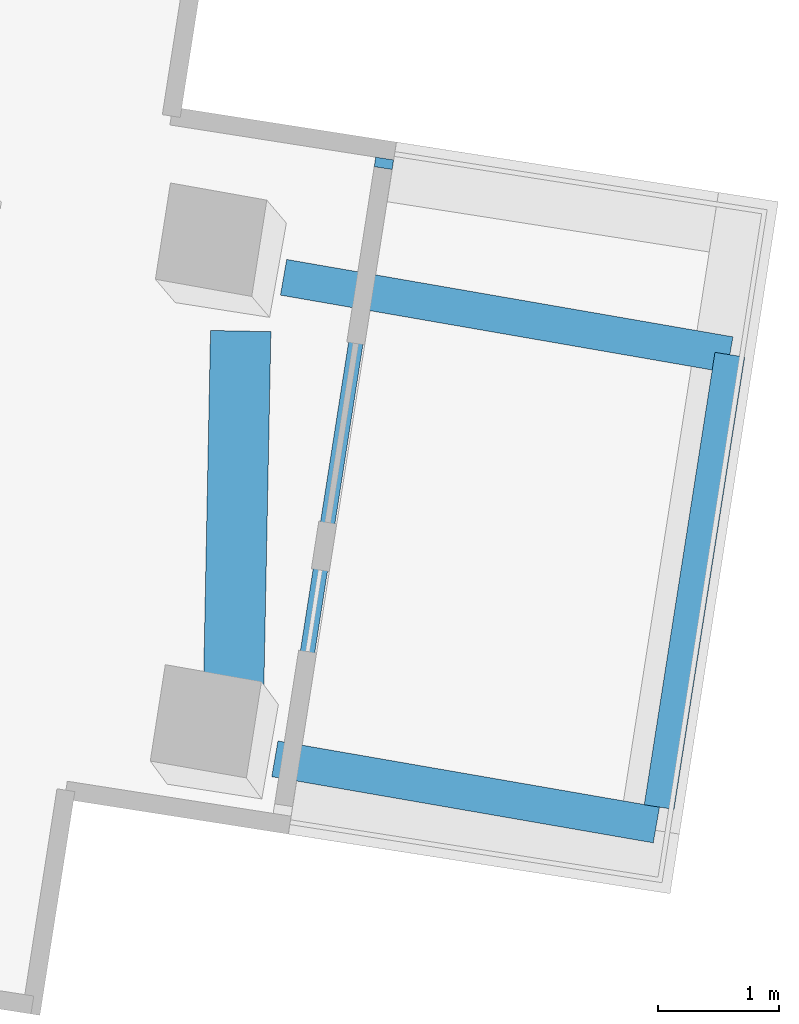
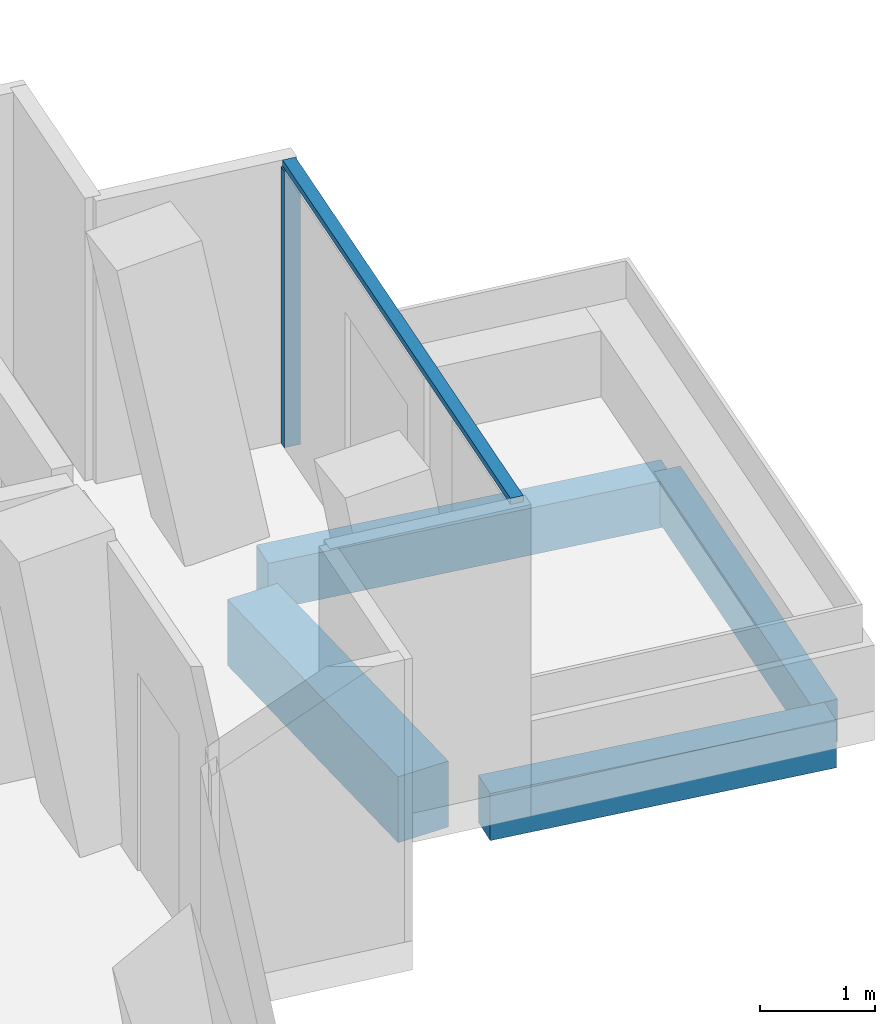
# One storey, part 6 of 23: 4 beams, 2 members, 1 element without a shape of its own.
"""IFC4 building model written with IfcOpenShell, lengths in metres."""

from ifc_helpers import new_model, si_unit, direction, frame, origin, origin_2d, place, context, subcontext, project, spatial, rectangle, extrude, material, layer, layer_set, material_profile, profile_set, type_object, element, aggregate, save


model = new_model("IFC4")

# Units and contexts
model_context = context("Model", 3, precision=1e-05, world=origin(), true_north=direction((0.0, 1.0)))
body_context = subcontext(model_context, "Body", "Model", "MODEL_VIEW")
ifc_project = project(units=[si_unit("LENGTHUNIT", "METRE"), si_unit("AREAUNIT", "SQUARE_METRE"), si_unit("VOLUMEUNIT", "CUBIC_METRE"), si_unit("PLANEANGLEUNIT", "RADIAN"), si_unit("MASSUNIT", "GRAM", prefix="KILO")], contexts=[model_context])

# Site, building, storey
site_placement = place(None, origin())
site = spatial("IfcSite", under=ifc_project, at=site_placement, CompositionType="ELEMENT")
building_placement = place(site_placement, origin())
building = spatial("IfcBuilding", under=site, at=building_placement, Name="Verdalira Terraces Hotel", CompositionType="ELEMENT")
storey_placement = place(building_placement, frame((0.0, 0.0, 118.5)))
storey = spatial("IfcBuildingStorey", under=building, at=storey_placement, Name="L28", CompositionType="ELEMENT", Elevation=118.5)

# Beams
ifc_material_1 = material(Name="Concrete C40", Category="concrete")
ifc_material_profile_1 = material_profile(ifc_material_1, rectangle(XDim=0.300049, YDim=0.5, at=origin_2d()), Name="RC 300X500")
ifc_profile_set_1 = profile_set([ifc_material_profile_1], Name="Concrete C40")
beam_type_1 = type_object("IfcBeamType", Name="Balcony cantilever beam RC 300X500 C40", PredefinedType="BEAM", material=ifc_profile_set_1)
beam_1_placement = place(storey_placement, frame((29.355225, -6.915771, -0.560059), z_axis=(0.98529435, -0.170865573, 0.0), x_axis=(0.170865573, 0.98529435, 0.0)))
element("IfcBeam", 1, at=beam_1_placement, inside=storey, type_object=beam_type_1, Name="Balcony cantilever beam R33-1", PredefinedType="BEAM", context=body_context, shape_type="SweptSolid", body=[
    extrude(rectangle(XDim=0.300049, YDim=0.5, at=origin_2d()), origin(), (0.0, 0.0, 1.0), 3.206299),
])
beam_2_placement = place(storey_placement, frame((29.42749, -2.928467, -0.560059), z_axis=(0.985292388, -0.170876884, 0.0), x_axis=(0.170876884, 0.985292388, 0.0)))
element("IfcBeam", 2, at=beam_2_placement, inside=storey, type_object=beam_type_1, Name="Balcony cantilever beam R33-2", PredefinedType="BEAM", context=body_context, shape_type="SweptSolid", body=[
    extrude(rectangle(XDim=0.300049, YDim=0.5, at=origin_2d()), origin(), (0.0, 0.0, 1.0), 3.750488),
])
ifc_material_2 = material(Name="Concrete C40", Category="concrete")
ifc_material_profile_2 = material_profile(ifc_material_2, rectangle(XDim=0.25, YDim=0.449951, at=origin_2d()), Name="RC 250X450")
ifc_profile_set_2 = profile_set([ifc_material_profile_2], Name="Concrete C40")
beam_type_2 = type_object("IfcBeamType", Name="Balcony edge beam RC 250X450 C40", PredefinedType="BEAM", material=ifc_profile_set_2)
beam_3_placement = place(storey_placement, frame((32.537598, -7.31543, -0.534912), z_axis=(0.154345452, 0.988016944, 0.0), x_axis=(-0.988016944, 0.154345452, 0.0)))
element("IfcBeam", 3, at=beam_3_placement, inside=storey, type_object=beam_type_2, Name="Balcony edge beam R33-1", PredefinedType="BEAM", context=body_context, shape_type="SweptSolid", body=[
    extrude(rectangle(XDim=0.25, YDim=0.449951, at=origin_2d()), origin(), (0.0, 0.0, 1.0), 3.791504),
])

# Curtain wall, members
ifc_material_3 = material(Name="Clear glass", Category="glass")
ifc_layer = layer(ifc_material_3, 0.14990234375)
ifc_layer_set = layer_set([ifc_layer], Name="CW3 curtain wall")
curtain_wall_type = type_object("IfcCurtainWallType", Name="CW3 curtain wall", PredefinedType="NOTDEFINED", material=ifc_layer_set)
curtain_wall_placement = place(storey_placement, origin())
curtain_wall = element("IfcCurtainWall", 4, at=curtain_wall_placement, inside=storey, type_object=curtain_wall_type, Name="CW3 curtain wall L28 edge 33", PredefinedType="NOTDEFINED")
ifc_material_4 = material(Name="Terracotta frame", Category="masonry")
ifc_material_profile_3 = material_profile(ifc_material_4, rectangle(XDim=0.080078, YDim=0.149902, at=origin_2d()), Name="MU 80x150")
ifc_profile_set_3 = profile_set([ifc_material_profile_3], Name="Terracotta frame")
member_type_1 = type_object("IfcMemberType", Name="CW3 mullion 80x150", PredefinedType="MULLION", material=ifc_profile_set_3)
member_1_placement = place(storey_placement, frame((30.258301, -1.984619, 0.0), z_axis=(0.0, 0.0, 1.0), x_axis=(0.154365514, 0.98801381, 0.0)))
member_1 = element("IfcMember", 5, at=member_1_placement, type_object=member_type_1, Name="CW3 mullion", PredefinedType="MULLION", context=body_context, shape_type="SweptSolid", body=[
    extrude(rectangle(XDim=0.080078, YDim=0.149902, at=origin_2d()), origin(), (0.0, 0.0, 1.0), 2.935059),
])
ifc_material_5 = material(Name="Terracotta frame", Category="masonry")
ifc_material_profile_4 = material_profile(ifc_material_5, rectangle(XDim=0.120117, YDim=0.064941, at=origin_2d()), Name="TR 65x120")
ifc_profile_set_4 = profile_set([ifc_material_profile_4], Name="Terracotta frame")
member_type_2 = type_object("IfcMemberType", Name="CW3 transom 65x120", PredefinedType="USERDEFINED", material=ifc_profile_set_4)
member_2_placement = place(storey_placement, frame((29.415283, -7.37915, 2.967529), z_axis=(0.154385005, 0.988010764, 0.0), x_axis=(-0.988010764, 0.154385005, 0.0)))
member_2 = element("IfcMember", 6, at=member_2_placement, type_object=member_type_2, Name="CW3 transom", ObjectType="TRANSOM", PredefinedType="USERDEFINED", context=body_context, shape_type="SweptSolid", body=[
    extrude(rectangle(XDim=0.120117, YDim=0.064941, at=origin_2d()), origin(), (0.0, 0.0, 1.0), 5.5),
])
aggregate(curtain_wall, [member_1, member_2])

# Beam
ifc_material_6 = material(Name="Concrete C70", Category="concrete")
ifc_material_profile_5 = material_profile(ifc_material_6, rectangle(XDim=0.5, YDim=0.699951, at=origin_2d()), Name="RC 500X700")
ifc_profile_set_5 = profile_set([ifc_material_profile_5], Name="Concrete C70")
beam_type_3 = type_object("IfcBeamType", Name="Spandrel beam RC 500X700 C70", PredefinedType="SPANDREL", material=ifc_profile_set_5)
beam_4_placement = place(storey_placement, frame((29.011719, -6.449219, -0.659912), z_axis=(0.019761183, 0.999804729, 0.0), x_axis=(-0.999804729, 0.019761183, 0.0)))
element("IfcBeam", 7, at=beam_4_placement, inside=storey, type_object=beam_type_3, Name="Spandrel beam B19", PredefinedType="SPANDREL", context=body_context, shape_type="SweptSolid", body=[
    extrude(rectangle(XDim=0.5, YDim=0.699951, at=origin_2d()), origin(), (0.0, 0.0, 1.0), 3.076172),
])

save(model, "model.ifc")
